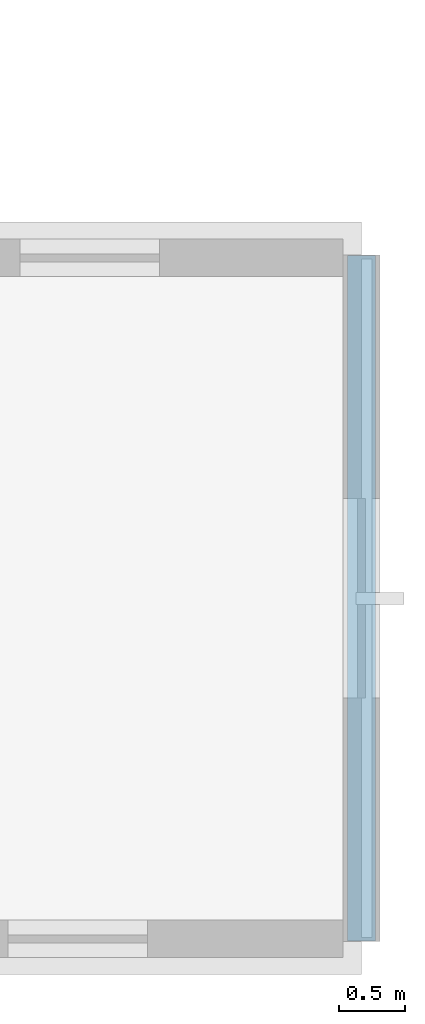
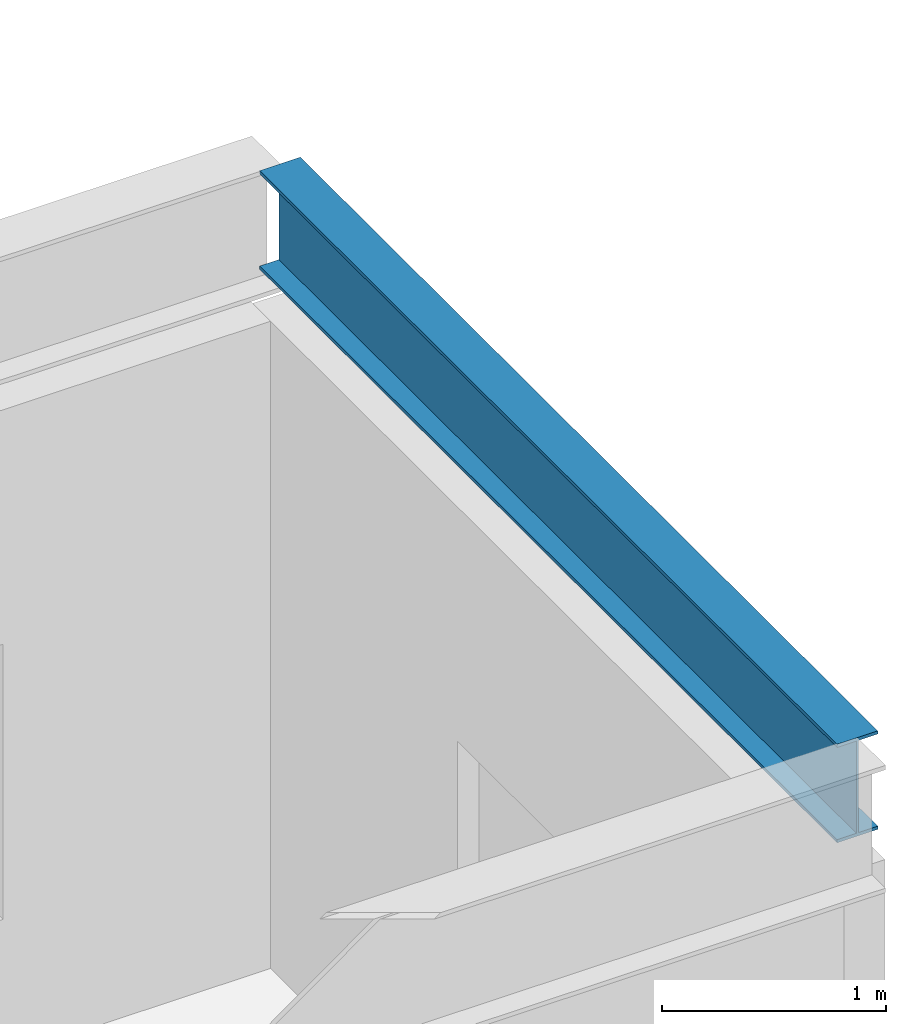
# One storey, part 11 of 18: 1 beam.
"""IFC4 building model written with IfcOpenShell, lengths in metres."""

from ifc_helpers import new_model, si_unit, direction, frame, origin, origin_2d, place, context, subcontext, project, spatial, i_section, extrude, material, material_profile, profile_set, type_object, element, save


model = new_model("IFC4")

# Units and contexts
model_context = context("Model", 3, precision=1e-05, world=origin(), true_north=direction((0.0, 1.0)))
body_context = subcontext(model_context, "Body", "Model", "MODEL_VIEW")
ifc_project = project(units=[si_unit("LENGTHUNIT", "METRE"), si_unit("AREAUNIT", "SQUARE_METRE"), si_unit("VOLUMEUNIT", "CUBIC_METRE"), si_unit("PLANEANGLEUNIT", "RADIAN"), si_unit("MASSUNIT", "GRAM", prefix="KILO")], contexts=[model_context])

# Site, building, storey
site_placement = place(None, origin())
site = spatial("IfcSite", under=ifc_project, at=site_placement, CompositionType="ELEMENT")
building_placement = place(site_placement, origin())
building = spatial("IfcBuilding", under=site, at=building_placement, Name="Surkhivell Harbour Commons", CompositionType="ELEMENT")
storey_placement = place(building_placement, frame((0.0, 0.0, 360.0)))
storey = spatial("IfcBuildingStorey", under=building, at=storey_placement, Name="L93", CompositionType="ELEMENT", Elevation=360.0)

# Beam
ifc_material = material(Name="Steel S355", Category="steel")
ifc_material_profile = material_profile(ifc_material, i_section(OverallWidth=0.2099609375, OverallDepth=0.537109375, WebThickness=0.0107421875, FlangeThickness=0.017333984375, at=origin_2d()), Name="UB533x210x101")
ifc_profile_set = profile_set([ifc_material_profile], Name="Steel S355")
beam_type = type_object("IfcBeamType", Name="BM-GRD-533B", PredefinedType="BEAM", material=ifc_profile_set)
beam_placement = place(storey_placement, frame((15.10009765625, -16.077880859375, 3.971435546875), z_axis=(0.0, 1.0, 0.0), x_axis=(-1.0, 0.0, 0.0)))
element("IfcBeam", 1, at=beam_placement, inside=storey, type_object=beam_type, Name="L93 Box Rim Spandrel (15.1,-16.2)", PredefinedType="BEAM", context=body_context, shape_type="SweptSolid", body=[
    extrude(i_section(OverallWidth=0.2099609375, OverallDepth=0.537109375, WebThickness=0.0107421875, FlangeThickness=0.017333984375, at=origin_2d()), origin(), (0.0, 0.0, 1.0), 5.15576171875),
])

save(model, "model.ifc")
